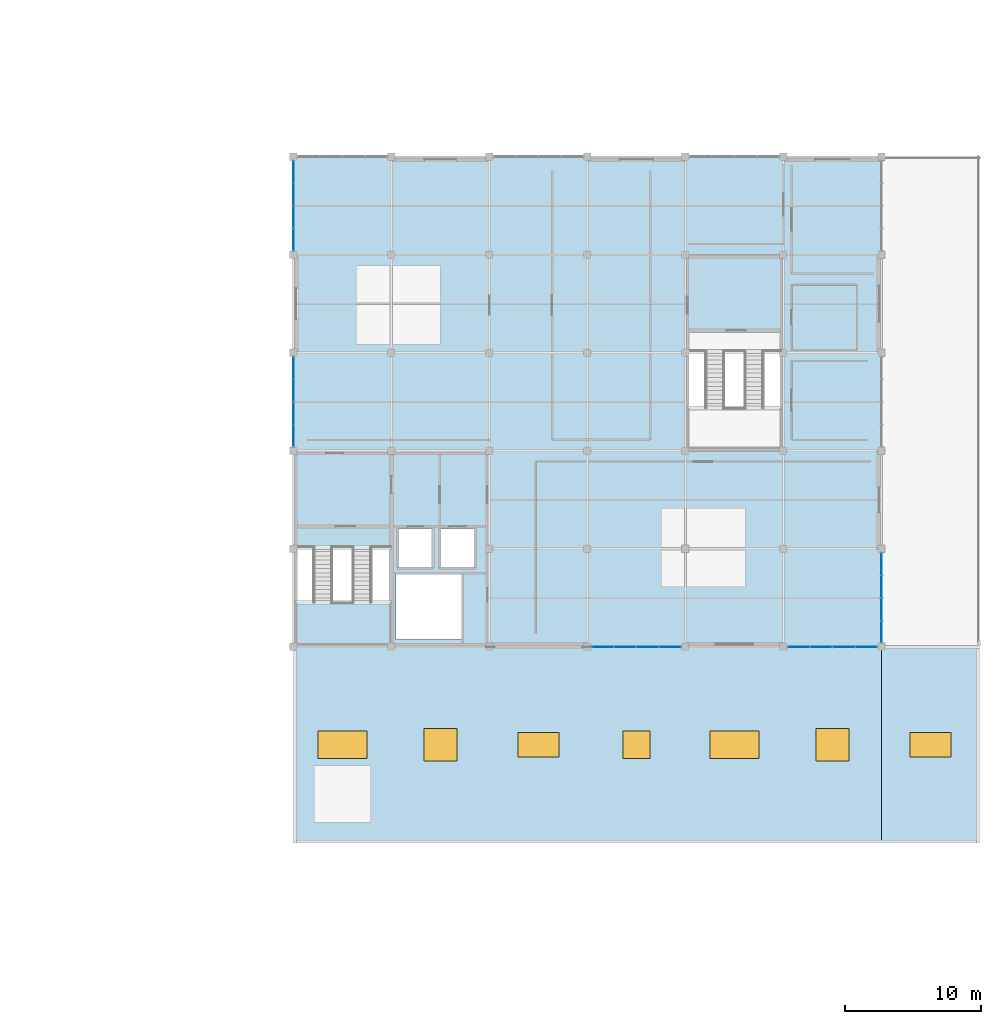
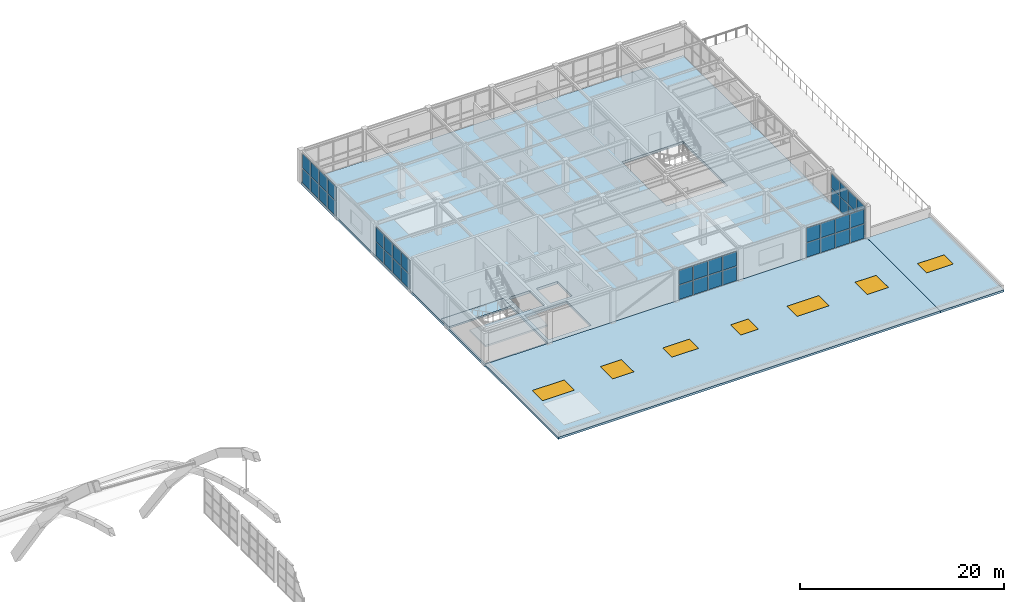
# One storey, part 44 of 64: 40 plates, 7 windows, 5 slabs, 7 openings, 6 elements without a shape of their own.
"""IFC4 building model written with IfcOpenShell, lengths in metres."""

from ifc_helpers import new_model, si_unit, direction, frame, origin, origin_2d, place, context, subcontext, project, spatial, polyline, rectangle, outline, extrude, material, layer, layer_set, type_object, element, fill, aggregate, save


model = new_model("IFC4")

# Units and contexts
model_context = context("Model", 3, precision=1e-05, world=origin(), true_north=direction((0.0, 1.0)))
body_context = subcontext(model_context, "Body", "Model", "MODEL_VIEW")
ifc_project = project(units=[si_unit("LENGTHUNIT", "METRE"), si_unit("AREAUNIT", "SQUARE_METRE"), si_unit("VOLUMEUNIT", "CUBIC_METRE"), si_unit("PLANEANGLEUNIT", "RADIAN"), si_unit("MASSUNIT", "GRAM", prefix="KILO")], contexts=[model_context])

# Site, building, storey
site_placement = place(None, origin())
site = spatial("IfcSite", under=ifc_project, at=site_placement, CompositionType="ELEMENT")
building_placement = place(site_placement, origin())
building = spatial("IfcBuilding", under=site, at=building_placement, Name="Leyfeld Transit Interchange", CompositionType="ELEMENT")
storey_placement = place(building_placement, frame((0.0, 0.0, 9.60009765625)))
storey = spatial("IfcBuildingStorey", under=building, at=storey_placement, Name="L02", CompositionType="ELEMENT", Elevation=9.60009765625)

# Curtain wall, plates
ifc_material_1 = material(Name="Anodised aluminium EN AW-6060 T66", Category="aluminium")
curtain_wall_type = type_object("IfcCurtainWallType", Name="CW-SYS-BUS-7200", PredefinedType="NOTDEFINED", material=ifc_material_1)
curtain_wall_1_placement = place(storey_placement, origin())
curtain_wall_1 = element("IfcCurtainWall", 1, at=curtain_wall_1_placement, inside=storey, type_object=curtain_wall_type, Name="Curtain Wall CW-L02-110", PredefinedType="NOTDEFINED")
ifc_material_2 = material(Name="Laminated safety acoustic glazing", Category="glass")
ifc_layer_1 = layer(ifc_material_2, 0.048095703125, Name="Laminated safety acoustic glazing")
ifc_layer_set_1 = layer_set([ifc_layer_1], Name="Laminated safety acoustic glazing")
plate_type = type_object("IfcPlateType", Name="CW-PNL-ACU-48", PredefinedType="CURTAIN_PANEL", material=ifc_layer_set_1)
plate_1_placement = place(storey_placement, frame((136.800048828125, 73.117431640625, 0.0732421875), z_axis=(0.0, 0.0, 1.0), x_axis=(0.0, 1.0, 0.0)))
plate_1 = element("IfcPlate", 2, at=plate_1_placement, type_object=plate_type, Name="Glazed Curtain Panel CW-L02-110-P01_1", PredefinedType="CURTAIN_PANEL", context=body_context, shape_type="SweptSolid", body=[
    extrude(rectangle(XDim=1.55810546875, YDim=0.048095703125, at=origin_2d()), origin(), (0.0, 0.0, 1.0), 1.700439453125),
])
plate_2_placement = place(storey_placement, frame((136.800048828125, 73.117431640625, 1.84619140625), z_axis=(0.0, 0.0, 1.0), x_axis=(0.0, 1.0, 0.0)))
plate_2 = element("IfcPlate", 3, at=plate_2_placement, type_object=plate_type, Name="Glazed Curtain Panel CW-L02-110-P01_2", PredefinedType="CURTAIN_PANEL", context=body_context, shape_type="SweptSolid", body=[
    extrude(rectangle(XDim=1.55810546875, YDim=0.048095703125, at=origin_2d()), origin(), (0.0, 0.0, 1.0), 1.700439453125),
])
plate_3_placement = place(storey_placement, frame((136.800048828125, 74.76611328125, 0.0732421875), z_axis=(0.0, 0.0, 1.0), x_axis=(0.0, 1.0, 0.0)))
plate_3 = element("IfcPlate", 4, at=plate_3_placement, type_object=plate_type, Name="Glazed Curtain Panel CW-L02-110-P02_1", PredefinedType="CURTAIN_PANEL", context=body_context, shape_type="SweptSolid", body=[
    extrude(rectangle(XDim=1.595458984375, YDim=0.048095703125, at=origin_2d()), origin(), (0.0, 0.0, 1.0), 1.700439453125),
])
plate_4_placement = place(storey_placement, frame((136.800048828125, 74.76611328125, 1.84619140625), z_axis=(0.0, 0.0, 1.0), x_axis=(0.0, 1.0, 0.0)))
plate_4 = element("IfcPlate", 5, at=plate_4_placement, type_object=plate_type, Name="Glazed Curtain Panel CW-L02-110-P02_2", PredefinedType="CURTAIN_PANEL", context=body_context, shape_type="SweptSolid", body=[
    extrude(rectangle(XDim=1.595458984375, YDim=0.048095703125, at=origin_2d()), origin(), (0.0, 0.0, 1.0), 1.700439453125),
])
plate_5_placement = place(storey_placement, frame((136.800048828125, 76.433837890625, 0.0732421875), z_axis=(0.0, 0.0, 1.0), x_axis=(0.0, 1.0, 0.0)))
plate_5 = element("IfcPlate", 6, at=plate_5_placement, type_object=plate_type, Name="Glazed Curtain Panel CW-L02-110-P03_1", PredefinedType="CURTAIN_PANEL", context=body_context, shape_type="SweptSolid", body=[
    extrude(rectangle(XDim=1.595458984375, YDim=0.048095703125, at=origin_2d()), origin(), (0.0, 0.0, 1.0), 1.700439453125),
])
plate_6_placement = place(storey_placement, frame((136.800048828125, 76.433837890625, 1.84619140625), z_axis=(0.0, 0.0, 1.0), x_axis=(0.0, 1.0, 0.0)))
plate_6 = element("IfcPlate", 7, at=plate_6_placement, type_object=plate_type, Name="Glazed Curtain Panel CW-L02-110-P03_2", PredefinedType="CURTAIN_PANEL", context=body_context, shape_type="SweptSolid", body=[
    extrude(rectangle(XDim=1.595458984375, YDim=0.048095703125, at=origin_2d()), origin(), (0.0, 0.0, 1.0), 1.700439453125),
])
plate_7_placement = place(storey_placement, frame((136.800048828125, 78.08251953125, 0.0732421875), z_axis=(0.0, 0.0, 1.0), x_axis=(0.0, 1.0, 0.0)))
plate_7 = element("IfcPlate", 8, at=plate_7_placement, type_object=plate_type, Name="Glazed Curtain Panel CW-L02-110-P04_1", PredefinedType="CURTAIN_PANEL", context=body_context, shape_type="SweptSolid", body=[
    extrude(rectangle(XDim=1.55810546875, YDim=0.048095703125, at=origin_2d()), origin(), (0.0, 0.0, 1.0), 1.700439453125),
])
plate_8_placement = place(storey_placement, frame((136.800048828125, 78.08251953125, 1.84619140625), z_axis=(0.0, 0.0, 1.0), x_axis=(0.0, 1.0, 0.0)))
plate_8 = element("IfcPlate", 9, at=plate_8_placement, type_object=plate_type, Name="Glazed Curtain Panel CW-L02-110-P04_2", PredefinedType="CURTAIN_PANEL", context=body_context, shape_type="SweptSolid", body=[
    extrude(rectangle(XDim=1.55810546875, YDim=0.048095703125, at=origin_2d()), origin(), (0.0, 0.0, 1.0), 1.700439453125),
])
aggregate(curtain_wall_1, [plate_1, plate_2, plate_3, plate_4, plate_5, plate_6, plate_7, plate_8])

curtain_wall_2_placement = place(storey_placement, origin())
curtain_wall_2 = element("IfcCurtainWall", 10, at=curtain_wall_2_placement, inside=storey, type_object=curtain_wall_type, Name="Curtain Wall CW-L02-111", PredefinedType="NOTDEFINED")
plate_9_placement = place(storey_placement, frame((136.800048828125, 87.517578125, 0.0732421875), z_axis=(0.0, 0.0, 1.0), x_axis=(0.0, 1.0, 0.0)))
plate_9 = element("IfcPlate", 11, at=plate_9_placement, type_object=plate_type, Name="Glazed Curtain Panel CW-L02-111-P01_1", PredefinedType="CURTAIN_PANEL", context=body_context, shape_type="SweptSolid", body=[
    extrude(rectangle(XDim=1.55810546875, YDim=0.048095703125, at=origin_2d()), origin(), (0.0, 0.0, 1.0), 1.715576171875),
])
plate_10_placement = place(storey_placement, frame((136.800048828125, 87.517578125, 1.86083984375), z_axis=(0.0, 0.0, 1.0), x_axis=(0.0, 1.0, 0.0)))
plate_10 = element("IfcPlate", 12, at=plate_10_placement, type_object=plate_type, Name="Glazed Curtain Panel CW-L02-111-P01_2", PredefinedType="CURTAIN_PANEL", context=body_context, shape_type="SweptSolid", body=[
    extrude(rectangle(XDim=1.55810546875, YDim=0.048095703125, at=origin_2d()), origin(), (0.0, 0.0, 1.0), 1.715576171875),
])
plate_11_placement = place(storey_placement, frame((136.800048828125, 89.166259765625, 0.0732421875), z_axis=(0.0, 0.0, 1.0), x_axis=(0.0, 1.0, 0.0)))
plate_11 = element("IfcPlate", 13, at=plate_11_placement, type_object=plate_type, Name="Glazed Curtain Panel CW-L02-111-P02_1", PredefinedType="CURTAIN_PANEL", context=body_context, shape_type="SweptSolid", body=[
    extrude(rectangle(XDim=1.595458984375, YDim=0.048095703125, at=origin_2d()), origin(), (0.0, 0.0, 1.0), 1.715576171875),
])
plate_12_placement = place(storey_placement, frame((136.800048828125, 89.166259765625, 1.86083984375), z_axis=(0.0, 0.0, 1.0), x_axis=(0.0, 1.0, 0.0)))
plate_12 = element("IfcPlate", 14, at=plate_12_placement, type_object=plate_type, Name="Glazed Curtain Panel CW-L02-111-P02_2", PredefinedType="CURTAIN_PANEL", context=body_context, shape_type="SweptSolid", body=[
    extrude(rectangle(XDim=1.595458984375, YDim=0.048095703125, at=origin_2d()), origin(), (0.0, 0.0, 1.0), 1.715576171875),
])
plate_13_placement = place(storey_placement, frame((136.800048828125, 90.833740234375, 0.0732421875), z_axis=(0.0, 0.0, 1.0), x_axis=(0.0, 1.0, 0.0)))
plate_13 = element("IfcPlate", 15, at=plate_13_placement, type_object=plate_type, Name="Glazed Curtain Panel CW-L02-111-P03_1", PredefinedType="CURTAIN_PANEL", context=body_context, shape_type="SweptSolid", body=[
    extrude(rectangle(XDim=1.595458984375, YDim=0.048095703125, at=origin_2d()), origin(), (0.0, 0.0, 1.0), 1.715576171875),
])
plate_14_placement = place(storey_placement, frame((136.800048828125, 90.833740234375, 1.86083984375), z_axis=(0.0, 0.0, 1.0), x_axis=(0.0, 1.0, 0.0)))
plate_14 = element("IfcPlate", 16, at=plate_14_placement, type_object=plate_type, Name="Glazed Curtain Panel CW-L02-111-P03_2", PredefinedType="CURTAIN_PANEL", context=body_context, shape_type="SweptSolid", body=[
    extrude(rectangle(XDim=1.595458984375, YDim=0.048095703125, at=origin_2d()), origin(), (0.0, 0.0, 1.0), 1.715576171875),
])
plate_15_placement = place(storey_placement, frame((136.800048828125, 92.482421875, 0.0732421875), z_axis=(0.0, 0.0, 1.0), x_axis=(0.0, 1.0, 0.0)))
plate_15 = element("IfcPlate", 17, at=plate_15_placement, type_object=plate_type, Name="Glazed Curtain Panel CW-L02-111-P04_1", PredefinedType="CURTAIN_PANEL", context=body_context, shape_type="SweptSolid", body=[
    extrude(rectangle(XDim=1.55810546875, YDim=0.048095703125, at=origin_2d()), origin(), (0.0, 0.0, 1.0), 1.715576171875),
])
plate_16_placement = place(storey_placement, frame((136.800048828125, 92.482421875, 1.86083984375), z_axis=(0.0, 0.0, 1.0), x_axis=(0.0, 1.0, 0.0)))
plate_16 = element("IfcPlate", 18, at=plate_16_placement, type_object=plate_type, Name="Glazed Curtain Panel CW-L02-111-P04_2", PredefinedType="CURTAIN_PANEL", context=body_context, shape_type="SweptSolid", body=[
    extrude(rectangle(XDim=1.55810546875, YDim=0.048095703125, at=origin_2d()), origin(), (0.0, 0.0, 1.0), 1.715576171875),
])
aggregate(curtain_wall_2, [plate_9, plate_10, plate_11, plate_12, plate_13, plate_14, plate_15, plate_16])

curtain_wall_3_placement = place(storey_placement, origin())
curtain_wall_3 = element("IfcCurtainWall", 19, at=curtain_wall_3_placement, inside=storey, type_object=curtain_wall_type, Name="Curtain Wall CW-L02-117", PredefinedType="NOTDEFINED")
plate_17_placement = place(storey_placement, frame((180.0, 63.6826171875, 0.0732421875), z_axis=(0.0, 0.0, 1.0), x_axis=(0.0, -1.0, 0.0)))
plate_17 = element("IfcPlate", 20, at=plate_17_placement, type_object=plate_type, Name="Glazed Curtain Panel CW-L02-117-P01_1", PredefinedType="CURTAIN_PANEL", context=body_context, shape_type="SweptSolid", body=[
    extrude(rectangle(XDim=1.55810546875, YDim=0.048095703125, at=origin_2d()), origin(), (0.0, 0.0, 1.0), 1.700439453125),
])
plate_18_placement = place(storey_placement, frame((180.0, 63.6826171875, 1.84619140625), z_axis=(0.0, 0.0, 1.0), x_axis=(0.0, -1.0, 0.0)))
plate_18 = element("IfcPlate", 21, at=plate_18_placement, type_object=plate_type, Name="Glazed Curtain Panel CW-L02-117-P01_2", PredefinedType="CURTAIN_PANEL", context=body_context, shape_type="SweptSolid", body=[
    extrude(rectangle(XDim=1.55810546875, YDim=0.048095703125, at=origin_2d()), origin(), (0.0, 0.0, 1.0), 1.700439453125),
])
plate_19_placement = place(storey_placement, frame((180.0, 62.03369140625, 0.0732421875), z_axis=(0.0, 0.0, 1.0), x_axis=(0.0, -1.0, 0.0)))
plate_19 = element("IfcPlate", 22, at=plate_19_placement, type_object=plate_type, Name="Glazed Curtain Panel CW-L02-117-P02_1", PredefinedType="CURTAIN_PANEL", context=body_context, shape_type="SweptSolid", body=[
    extrude(rectangle(XDim=1.595458984375, YDim=0.048095703125, at=origin_2d()), origin(), (0.0, 0.0, 1.0), 1.700439453125),
])
plate_20_placement = place(storey_placement, frame((180.0, 62.03369140625, 1.84619140625), z_axis=(0.0, 0.0, 1.0), x_axis=(0.0, -1.0, 0.0)))
plate_20 = element("IfcPlate", 23, at=plate_20_placement, type_object=plate_type, Name="Glazed Curtain Panel CW-L02-117-P02_2", PredefinedType="CURTAIN_PANEL", context=body_context, shape_type="SweptSolid", body=[
    extrude(rectangle(XDim=1.595458984375, YDim=0.048095703125, at=origin_2d()), origin(), (0.0, 0.0, 1.0), 1.700439453125),
])
plate_21_placement = place(storey_placement, frame((180.0, 60.3662109375, 0.0732421875), z_axis=(0.0, 0.0, 1.0), x_axis=(0.0, -1.0, 0.0)))
plate_21 = element("IfcPlate", 24, at=plate_21_placement, type_object=plate_type, Name="Glazed Curtain Panel CW-L02-117-P03_1", PredefinedType="CURTAIN_PANEL", context=body_context, shape_type="SweptSolid", body=[
    extrude(rectangle(XDim=1.595458984375, YDim=0.048095703125, at=origin_2d()), origin(), (0.0, 0.0, 1.0), 1.700439453125),
])
plate_22_placement = place(storey_placement, frame((180.0, 60.3662109375, 1.84619140625), z_axis=(0.0, 0.0, 1.0), x_axis=(0.0, -1.0, 0.0)))
plate_22 = element("IfcPlate", 25, at=plate_22_placement, type_object=plate_type, Name="Glazed Curtain Panel CW-L02-117-P03_2", PredefinedType="CURTAIN_PANEL", context=body_context, shape_type="SweptSolid", body=[
    extrude(rectangle(XDim=1.595458984375, YDim=0.048095703125, at=origin_2d()), origin(), (0.0, 0.0, 1.0), 1.700439453125),
])
plate_23_placement = place(storey_placement, frame((180.0, 58.717529296875, 0.0732421875), z_axis=(0.0, 0.0, 1.0), x_axis=(0.0, -1.0, 0.0)))
plate_23 = element("IfcPlate", 26, at=plate_23_placement, type_object=plate_type, Name="Glazed Curtain Panel CW-L02-117-P04_1", PredefinedType="CURTAIN_PANEL", context=body_context, shape_type="SweptSolid", body=[
    extrude(rectangle(XDim=1.55810546875, YDim=0.048095703125, at=origin_2d()), origin(), (0.0, 0.0, 1.0), 1.700439453125),
])
plate_24_placement = place(storey_placement, frame((180.0, 58.717529296875, 1.84619140625), z_axis=(0.0, 0.0, 1.0), x_axis=(0.0, -1.0, 0.0)))
plate_24 = element("IfcPlate", 27, at=plate_24_placement, type_object=plate_type, Name="Glazed Curtain Panel CW-L02-117-P04_2", PredefinedType="CURTAIN_PANEL", context=body_context, shape_type="SweptSolid", body=[
    extrude(rectangle(XDim=1.55810546875, YDim=0.048095703125, at=origin_2d()), origin(), (0.0, 0.0, 1.0), 1.700439453125),
])
aggregate(curtain_wall_3, [plate_17, plate_18, plate_19, plate_20, plate_21, plate_22, plate_23, plate_24])

curtain_wall_4_placement = place(storey_placement, origin())
curtain_wall_4 = element("IfcCurtainWall", 28, at=curtain_wall_4_placement, inside=storey, type_object=curtain_wall_type, Name="Curtain Wall CW-L02-118", PredefinedType="NOTDEFINED")
plate_25_placement = place(storey_placement, frame((178.882568359375, 57.60009765625, 0.0732421875), z_axis=(0.0, 0.0, 1.0), x_axis=(-1.0, 0.0, 0.0)))
plate_25 = element("IfcPlate", 29, at=plate_25_placement, type_object=plate_type, Name="Glazed Curtain Panel CW-L02-118-P01_1", PredefinedType="CURTAIN_PANEL", context=body_context, shape_type="SweptSolid", body=[
    extrude(rectangle(XDim=1.55810546875, YDim=0.048095703125, at=origin_2d()), origin(), (0.0, 0.0, 1.0), 1.700439453125),
])
plate_26_placement = place(storey_placement, frame((178.882568359375, 57.60009765625, 1.84619140625), z_axis=(0.0, 0.0, 1.0), x_axis=(-1.0, 0.0, 0.0)))
plate_26 = element("IfcPlate", 30, at=plate_26_placement, type_object=plate_type, Name="Glazed Curtain Panel CW-L02-118-P01_2", PredefinedType="CURTAIN_PANEL", context=body_context, shape_type="SweptSolid", body=[
    extrude(rectangle(XDim=1.55810546875, YDim=0.048095703125, at=origin_2d()), origin(), (0.0, 0.0, 1.0), 1.700439453125),
])
plate_27_placement = place(storey_placement, frame((177.23388671875, 57.60009765625, 0.0732421875), z_axis=(0.0, 0.0, 1.0), x_axis=(-1.0, 0.0, 0.0)))
plate_27 = element("IfcPlate", 31, at=plate_27_placement, type_object=plate_type, Name="Glazed Curtain Panel CW-L02-118-P02_1", PredefinedType="CURTAIN_PANEL", context=body_context, shape_type="SweptSolid", body=[
    extrude(rectangle(XDim=1.595458984375, YDim=0.048095703125, at=origin_2d()), origin(), (0.0, 0.0, 1.0), 1.700439453125),
])
plate_28_placement = place(storey_placement, frame((177.23388671875, 57.60009765625, 1.84619140625), z_axis=(0.0, 0.0, 1.0), x_axis=(-1.0, 0.0, 0.0)))
plate_28 = element("IfcPlate", 32, at=plate_28_placement, type_object=plate_type, Name="Glazed Curtain Panel CW-L02-118-P02_2", PredefinedType="CURTAIN_PANEL", context=body_context, shape_type="SweptSolid", body=[
    extrude(rectangle(XDim=1.595458984375, YDim=0.048095703125, at=origin_2d()), origin(), (0.0, 0.0, 1.0), 1.700439453125),
])
plate_29_placement = place(storey_placement, frame((175.56640625, 57.60009765625, 0.0732421875), z_axis=(0.0, 0.0, 1.0), x_axis=(-1.0, 0.0, 0.0)))
plate_29 = element("IfcPlate", 33, at=plate_29_placement, type_object=plate_type, Name="Glazed Curtain Panel CW-L02-118-P03_1", PredefinedType="CURTAIN_PANEL", context=body_context, shape_type="SweptSolid", body=[
    extrude(rectangle(XDim=1.595458984375, YDim=0.048095703125, at=origin_2d()), origin(), (0.0, 0.0, 1.0), 1.700439453125),
])
plate_30_placement = place(storey_placement, frame((175.56640625, 57.60009765625, 1.84619140625), z_axis=(0.0, 0.0, 1.0), x_axis=(-1.0, 0.0, 0.0)))
plate_30 = element("IfcPlate", 34, at=plate_30_placement, type_object=plate_type, Name="Glazed Curtain Panel CW-L02-118-P03_2", PredefinedType="CURTAIN_PANEL", context=body_context, shape_type="SweptSolid", body=[
    extrude(rectangle(XDim=1.595458984375, YDim=0.048095703125, at=origin_2d()), origin(), (0.0, 0.0, 1.0), 1.700439453125),
])
plate_31_placement = place(storey_placement, frame((173.91748046875, 57.60009765625, 0.0732421875), z_axis=(0.0, 0.0, 1.0), x_axis=(-1.0, 0.0, 0.0)))
plate_31 = element("IfcPlate", 35, at=plate_31_placement, type_object=plate_type, Name="Glazed Curtain Panel CW-L02-118-P04_1", PredefinedType="CURTAIN_PANEL", context=body_context, shape_type="SweptSolid", body=[
    extrude(rectangle(XDim=1.55810546875, YDim=0.048095703125, at=origin_2d()), origin(), (0.0, 0.0, 1.0), 1.700439453125),
])
plate_32_placement = place(storey_placement, frame((173.91748046875, 57.60009765625, 1.84619140625), z_axis=(0.0, 0.0, 1.0), x_axis=(-1.0, 0.0, 0.0)))
plate_32 = element("IfcPlate", 36, at=plate_32_placement, type_object=plate_type, Name="Glazed Curtain Panel CW-L02-118-P04_2", PredefinedType="CURTAIN_PANEL", context=body_context, shape_type="SweptSolid", body=[
    extrude(rectangle(XDim=1.55810546875, YDim=0.048095703125, at=origin_2d()), origin(), (0.0, 0.0, 1.0), 1.700439453125),
])
aggregate(curtain_wall_4, [plate_25, plate_26, plate_27, plate_28, plate_29, plate_30, plate_31, plate_32])

curtain_wall_5_placement = place(storey_placement, origin())
curtain_wall_5 = element("IfcCurtainWall", 37, at=curtain_wall_5_placement, inside=storey, type_object=curtain_wall_type, Name="Curtain Wall CW-L02-119", PredefinedType="NOTDEFINED")
plate_33_placement = place(storey_placement, frame((164.482421875, 57.60009765625, 0.0732421875), z_axis=(0.0, 0.0, 1.0), x_axis=(-1.0, 0.0, 0.0)))
plate_33 = element("IfcPlate", 38, at=plate_33_placement, type_object=plate_type, Name="Glazed Curtain Panel CW-L02-119-P01_1", PredefinedType="CURTAIN_PANEL", context=body_context, shape_type="SweptSolid", body=[
    extrude(rectangle(XDim=1.55810546875, YDim=0.048095703125, at=origin_2d()), origin(), (0.0, 0.0, 1.0), 1.700439453125),
])
plate_34_placement = place(storey_placement, frame((164.482421875, 57.60009765625, 1.84619140625), z_axis=(0.0, 0.0, 1.0), x_axis=(-1.0, 0.0, 0.0)))
plate_34 = element("IfcPlate", 39, at=plate_34_placement, type_object=plate_type, Name="Glazed Curtain Panel CW-L02-119-P01_2", PredefinedType="CURTAIN_PANEL", context=body_context, shape_type="SweptSolid", body=[
    extrude(rectangle(XDim=1.55810546875, YDim=0.048095703125, at=origin_2d()), origin(), (0.0, 0.0, 1.0), 1.700439453125),
])
plate_35_placement = place(storey_placement, frame((162.833740234375, 57.60009765625, 0.0732421875), z_axis=(0.0, 0.0, 1.0), x_axis=(-1.0, 0.0, 0.0)))
plate_35 = element("IfcPlate", 40, at=plate_35_placement, type_object=plate_type, Name="Glazed Curtain Panel CW-L02-119-P02_1", PredefinedType="CURTAIN_PANEL", context=body_context, shape_type="SweptSolid", body=[
    extrude(rectangle(XDim=1.595458984375, YDim=0.048095703125, at=origin_2d()), origin(), (0.0, 0.0, 1.0), 1.700439453125),
])
plate_36_placement = place(storey_placement, frame((162.833740234375, 57.60009765625, 1.84619140625), z_axis=(0.0, 0.0, 1.0), x_axis=(-1.0, 0.0, 0.0)))
plate_36 = element("IfcPlate", 41, at=plate_36_placement, type_object=plate_type, Name="Glazed Curtain Panel CW-L02-119-P02_2", PredefinedType="CURTAIN_PANEL", context=body_context, shape_type="SweptSolid", body=[
    extrude(rectangle(XDim=1.595458984375, YDim=0.048095703125, at=origin_2d()), origin(), (0.0, 0.0, 1.0), 1.700439453125),
])
plate_37_placement = place(storey_placement, frame((161.166259765625, 57.60009765625, 0.0732421875), z_axis=(0.0, 0.0, 1.0), x_axis=(-1.0, 0.0, 0.0)))
plate_37 = element("IfcPlate", 42, at=plate_37_placement, type_object=plate_type, Name="Glazed Curtain Panel CW-L02-119-P03_1", PredefinedType="CURTAIN_PANEL", context=body_context, shape_type="SweptSolid", body=[
    extrude(rectangle(XDim=1.595458984375, YDim=0.048095703125, at=origin_2d()), origin(), (0.0, 0.0, 1.0), 1.700439453125),
])
plate_38_placement = place(storey_placement, frame((161.166259765625, 57.60009765625, 1.84619140625), z_axis=(0.0, 0.0, 1.0), x_axis=(-1.0, 0.0, 0.0)))
plate_38 = element("IfcPlate", 43, at=plate_38_placement, type_object=plate_type, Name="Glazed Curtain Panel CW-L02-119-P03_2", PredefinedType="CURTAIN_PANEL", context=body_context, shape_type="SweptSolid", body=[
    extrude(rectangle(XDim=1.595458984375, YDim=0.048095703125, at=origin_2d()), origin(), (0.0, 0.0, 1.0), 1.700439453125),
])
plate_39_placement = place(storey_placement, frame((159.517578125, 57.60009765625, 0.0732421875), z_axis=(0.0, 0.0, 1.0), x_axis=(-1.0, 0.0, 0.0)))
plate_39 = element("IfcPlate", 44, at=plate_39_placement, type_object=plate_type, Name="Glazed Curtain Panel CW-L02-119-P04_1", PredefinedType="CURTAIN_PANEL", context=body_context, shape_type="SweptSolid", body=[
    extrude(rectangle(XDim=1.55810546875, YDim=0.048095703125, at=origin_2d()), origin(), (0.0, 0.0, 1.0), 1.700439453125),
])
plate_40_placement = place(storey_placement, frame((159.517578125, 57.60009765625, 1.84619140625), z_axis=(0.0, 0.0, 1.0), x_axis=(-1.0, 0.0, 0.0)))
plate_40 = element("IfcPlate", 45, at=plate_40_placement, type_object=plate_type, Name="Glazed Curtain Panel CW-L02-119-P04_2", PredefinedType="CURTAIN_PANEL", context=body_context, shape_type="SweptSolid", body=[
    extrude(rectangle(XDim=1.55810546875, YDim=0.048095703125, at=origin_2d()), origin(), (0.0, 0.0, 1.0), 1.700439453125),
])
aggregate(curtain_wall_5, [plate_33, plate_34, plate_35, plate_36, plate_37, plate_38, plate_39, plate_40])

# Slabs
ifc_material_3 = material(Name="Concrete C35/45", Category="concrete")
ifc_layer_2 = layer(ifc_material_3, 0.300048828125, Name="Concrete C35/45")
ifc_layer_set_2 = layer_set([ifc_layer_2], Name="Concrete C35/45")
slab_type_1 = type_object("IfcSlabType", Name="SLB-FLR-300", PredefinedType="FLOOR", material=ifc_layer_set_2)
slab_1_placement = place(storey_placement, frame((0.0, 0.0, -0.300048828125)))
element("IfcSlab", 46, at=slab_1_placement, inside=storey, type_object=slab_type_1, Name="Slab V4 L02 B1", PredefinedType="FLOOR", context=body_context, shape_type="SweptSolid", body=[
    extrude(outline(polyline([(180.0, 57.60009765625), (180.0, 93.574951171875), (136.800048828125, 93.574951171875), (136.800048828125, 57.60009765625), (180.0, 57.60009765625)]), holes=[polyline([(144.0, 57.75), (136.949951171875, 57.75), (136.949951171875, 66.449951171875), (144.0, 66.449951171875), (144.0, 57.75)]), polyline([(144.35009765625, 58.14990234375), (144.35009765625, 62.919921875), (149.14990234375, 62.919921875), (149.14990234375, 58.14990234375), (144.35009765625, 58.14990234375)]), polyline([(144.550048828125, 66.300048828125), (146.949951171875, 66.300048828125), (146.949951171875, 63.449951171875), (144.550048828125, 63.449951171875), (144.550048828125, 66.300048828125)]), polyline([(150.050048828125, 66.300048828125), (150.050048828125, 63.449951171875), (147.64990234375, 63.449951171875), (147.64990234375, 66.300048828125), (150.050048828125, 66.300048828125)]), polyline([(172.6650390625, 72.135009765625), (165.735107421875, 72.135009765625), (165.735107421875, 80.85009765625), (172.6650390625, 80.85009765625), (172.6650390625, 72.135009765625)])]), origin(), (0.0, 0.0, 1.0), 0.300048828125),
])
ifc_material_4 = material(Name="Precast concrete C40/50", Category="concrete")
ifc_layer_3 = layer(ifc_material_4, 0.199951171875, Name="Precast concrete C40/50")
ifc_layer_set_3 = layer_set([ifc_layer_3], Name="Precast concrete C40/50")
slab_type_2 = type_object("IfcSlabType", Name="SLB-LND-200", PredefinedType="LANDING", material=ifc_layer_set_3)
slab_2_placement = place(storey_placement, frame((0.0, 0.0, -0.2001953125)))
element("IfcSlab", 47, at=slab_2_placement, inside=storey, type_object=slab_type_2, Name="Core K4 Stair Floor Landing L02", PredefinedType="LANDING", context=body_context, shape_type="SweptSolid", body=[
    extrude(outline(polyline([(136.955078125, 64.89990234375), (143.9951171875, 64.89990234375), (143.9951171875, 66.445068359375), (136.955078125, 66.445068359375), (136.955078125, 64.89990234375)])), origin(), (0.0, 0.0, 1.0), 0.2001953125),
])

# Stair, slab
stair_type = type_object("IfcStairType", Name="STR-HT-150x310", PredefinedType="HALF_TURN_STAIR", material=ifc_material_4)
stair_placement = place(storey_placement, origin())
stair = element("IfcStair", 48, at=stair_placement, inside=storey, type_object=stair_type, Name="Exit Stair ST-04 (L02 to L03)", PredefinedType="HALF_TURN_STAIR")
slab_3_placement = place(storey_placement, frame((0.0, 0.0, 1.89990234375)))
slab_3 = element("IfcSlab", 49, at=slab_3_placement, type_object=slab_type_2, Name="Stair ST-04 L02 Half Landing", PredefinedType="LANDING", context=body_context, shape_type="SweptSolid", body=[
    extrude(outline(polyline([(136.955078125, 57.7548828125), (143.9951171875, 57.7548828125), (143.9951171875, 60.8701171875), (136.955078125, 60.8701171875), (136.955078125, 57.7548828125)])), origin(), (0.0, 0.0, 1.0), 0.199951171875),
])
aggregate(stair, [slab_3])

# Slab, openings, windows
ifc_layer_4 = layer(ifc_material_3, 0.25, Name="Concrete C35/45")
ifc_layer_set_4 = layer_set([ifc_layer_4], Name="Concrete C35/45")
slab_type_3 = type_object("IfcSlabType", Name="SLB-ROOF-250", PredefinedType="ROOF", material=ifc_layer_set_4)
slab_4_placement = place(storey_placement, frame((0.0, 0.0, -0.25)))
slab_4 = element("IfcSlab", 50, at=slab_4_placement, inside=storey, type_object=slab_type_3, Name="Slab V4_TERR_S L02 B1", PredefinedType="ROOF", context=body_context, shape_type="SweptSolid", body=[
    extrude(outline(polyline([(136.800048828125, 57.60009765625), (136.800048828125, 43.199951171875), (180.0, 43.199951171875), (180.0, 57.60009765625), (136.800048828125, 57.60009765625)]), holes=[polyline([(142.199951171875, 49.39990234375), (138.60009765625, 49.39990234375), (138.60009765625, 51.39990234375), (142.199951171875, 51.39990234375), (142.199951171875, 49.39990234375)]), polyline([(148.800048828125, 49.199951171875), (146.39990234375, 49.199951171875), (146.39990234375, 51.60009765625), (148.800048828125, 51.60009765625), (148.800048828125, 49.199951171875)]), polyline([(156.300048828125, 49.5), (153.300048828125, 49.5), (153.300048828125, 51.300048828125), (156.300048828125, 51.300048828125), (156.300048828125, 49.5)]), polyline([(163.0, 49.39990234375), (161.0, 49.39990234375), (161.0, 51.39990234375), (163.0, 51.39990234375), (163.0, 49.39990234375)]), polyline([(171.0, 49.39990234375), (167.39990234375, 49.39990234375), (167.39990234375, 51.39990234375), (171.0, 51.39990234375), (171.0, 49.39990234375)]), polyline([(177.60009765625, 49.199951171875), (175.199951171875, 49.199951171875), (175.199951171875, 51.60009765625), (177.60009765625, 51.60009765625), (177.60009765625, 49.199951171875)])]), origin(), (0.0, 0.0, 1.0), 0.25),
])
opening_1_placement = place(slab_4_placement, frame((140.39990234375, 50.39990234375, 0.0)))
opening_1 = element("IfcOpeningElement", 51, at=opening_1_placement, cuts=slab_4, Name="Opening SK-04", PredefinedType="OPENING", context=body_context, shape_type="SweptSolid", body=[
    extrude(rectangle(XDim=3.60009765625, YDim=2.0, at=origin_2d()), frame((0.0, 0.0, -0.010009765625)), (0.0, 0.0, 1.0), 0.27001953125),
])
opening_2_placement = place(slab_4_placement, frame((147.60009765625, 50.39990234375, 0.0)))
opening_2 = element("IfcOpeningElement", 52, at=opening_2_placement, cuts=slab_4, Name="Opening SK-01", PredefinedType="OPENING", context=body_context, shape_type="SweptSolid", body=[
    extrude(rectangle(XDim=2.39990234375, YDim=2.39990234375, at=origin_2d()), frame((0.0, 0.0, -0.010009765625)), (0.0, 0.0, 1.0), 0.27001953125),
])
opening_3_placement = place(slab_4_placement, frame((154.800048828125, 50.39990234375, 0.0)))
opening_3 = element("IfcOpeningElement", 53, at=opening_3_placement, cuts=slab_4, Name="Opening SK-02", PredefinedType="OPENING", context=body_context, shape_type="SweptSolid", body=[
    extrude(rectangle(XDim=3.0, YDim=1.800048828125, at=origin_2d()), frame((0.0, 0.0, -0.010009765625)), (0.0, 0.0, 1.0), 0.27001953125),
])
opening_4_placement = place(slab_4_placement, frame((162.0, 50.39990234375, 0.0)))
opening_4 = element("IfcOpeningElement", 54, at=opening_4_placement, cuts=slab_4, Name="Opening SK-03", PredefinedType="OPENING", context=body_context, shape_type="SweptSolid", body=[
    extrude(rectangle(XDim=2.0, YDim=2.0, at=origin_2d()), frame((0.0, 0.0, -0.010009765625)), (0.0, 0.0, 1.0), 0.27001953125),
])
opening_5_placement = place(slab_4_placement, frame((169.199951171875, 50.39990234375, 0.0)))
opening_5 = element("IfcOpeningElement", 55, at=opening_5_placement, cuts=slab_4, Name="Opening SK-04", PredefinedType="OPENING", context=body_context, shape_type="SweptSolid", body=[
    extrude(rectangle(XDim=3.60009765625, YDim=2.0, at=origin_2d()), frame((0.0, 0.0, -0.010009765625)), (0.0, 0.0, 1.0), 0.27001953125),
])
opening_6_placement = place(slab_4_placement, frame((176.39990234375, 50.39990234375, 0.0)))
opening_6 = element("IfcOpeningElement", 56, at=opening_6_placement, cuts=slab_4, Name="Opening SK-01", PredefinedType="OPENING", context=body_context, shape_type="SweptSolid", body=[
    extrude(rectangle(XDim=2.39990234375, YDim=2.39990234375, at=origin_2d()), frame((0.0, 0.0, -0.010009765625)), (0.0, 0.0, 1.0), 0.27001953125),
])
window_type_1 = type_object("IfcWindowType", Name="SKY-2000x2000", PartitioningType="SINGLE_PANEL", PredefinedType="SKYLIGHT", material=ifc_material_2)
window_1_placement = place(opening_4_placement, frame((0.0, 0.0, 0.199951171875)))
window_1 = element("IfcWindow", 57, at=window_1_placement, inside=storey, type_object=window_type_1, Name="Roof Skylight L02 06", OverallHeight=2.0, OverallWidth=2.0, PartitioningType="SINGLE_PANEL", PredefinedType="SKYLIGHT", context=body_context, shape_type="SweptSolid", body=[
    extrude(rectangle(XDim=2.0, YDim=2.0, at=origin_2d()), origin(), (0.0, 0.0, 1.0), 0.050048828125),
])
fill(opening_4, window_1)
window_type_2 = type_object("IfcWindowType", Name="SKY-2400x2400", PartitioningType="SINGLE_PANEL", PredefinedType="SKYLIGHT", material=ifc_material_2)
window_2_placement = place(opening_2_placement, frame((0.0, 0.0, 0.199951171875)))
window_2 = element("IfcWindow", 58, at=window_2_placement, inside=storey, type_object=window_type_2, Name="Roof Skylight L02 04", OverallHeight=2.39990234375, OverallWidth=2.39990234375, PartitioningType="SINGLE_PANEL", PredefinedType="SKYLIGHT", context=body_context, shape_type="SweptSolid", body=[
    extrude(rectangle(XDim=2.39990234375, YDim=2.39990234375, at=origin_2d()), origin(), (0.0, 0.0, 1.0), 0.050048828125),
])
fill(opening_2, window_2)
window_3_placement = place(opening_6_placement, frame((0.0, 0.0, 0.199951171875)))
window_3 = element("IfcWindow", 59, at=window_3_placement, inside=storey, type_object=window_type_2, Name="Roof Skylight L02 08", OverallHeight=2.39990234375, OverallWidth=2.39990234375, PartitioningType="SINGLE_PANEL", PredefinedType="SKYLIGHT", context=body_context, shape_type="SweptSolid", body=[
    extrude(rectangle(XDim=2.39990234375, YDim=2.39990234375, at=origin_2d()), origin(), (0.0, 0.0, 1.0), 0.050048828125),
])
fill(opening_6, window_3)
window_type_3 = type_object("IfcWindowType", Name="SKY-3000x1800", PartitioningType="SINGLE_PANEL", PredefinedType="SKYLIGHT", material=ifc_material_2)
window_4_placement = place(opening_3_placement, frame((0.0, 0.0, 0.199951171875)))
window_4 = element("IfcWindow", 60, at=window_4_placement, inside=storey, type_object=window_type_3, Name="Roof Skylight L02 05", OverallHeight=1.800048828125, OverallWidth=3.0, PartitioningType="SINGLE_PANEL", PredefinedType="SKYLIGHT", context=body_context, shape_type="SweptSolid", body=[
    extrude(rectangle(XDim=3.0, YDim=1.800048828125, at=origin_2d()), origin(), (0.0, 0.0, 1.0), 0.050048828125),
])
fill(opening_3, window_4)
window_type_4 = type_object("IfcWindowType", Name="SKY-3600x2000", PartitioningType="SINGLE_PANEL", PredefinedType="SKYLIGHT", material=ifc_material_2)
window_5_placement = place(opening_1_placement, frame((0.0, 0.0, 0.199951171875)))
window_5 = element("IfcWindow", 61, at=window_5_placement, inside=storey, type_object=window_type_4, Name="Roof Skylight L02 03", OverallHeight=2.0, OverallWidth=3.60009765625, PartitioningType="SINGLE_PANEL", PredefinedType="SKYLIGHT", context=body_context, shape_type="SweptSolid", body=[
    extrude(rectangle(XDim=3.60009765625, YDim=2.0, at=origin_2d()), origin(), (0.0, 0.0, 1.0), 0.050048828125),
])
fill(opening_1, window_5)
window_6_placement = place(opening_5_placement, frame((0.0, 0.0, 0.199951171875)))
window_6 = element("IfcWindow", 62, at=window_6_placement, inside=storey, type_object=window_type_4, Name="Roof Skylight L02 07", OverallHeight=2.0, OverallWidth=3.60009765625, PartitioningType="SINGLE_PANEL", PredefinedType="SKYLIGHT", context=body_context, shape_type="SweptSolid", body=[
    extrude(rectangle(XDim=3.60009765625, YDim=2.0, at=origin_2d()), origin(), (0.0, 0.0, 1.0), 0.050048828125),
])
fill(opening_5, window_6)

# Slab, opening, window
slab_5_placement = place(storey_placement, frame((0.0, 0.0, -0.25)))
slab_5 = element("IfcSlab", 63, at=slab_5_placement, inside=storey, type_object=slab_type_3, Name="Slab V4_TERR_S L02 B2", PredefinedType="ROOF", context=body_context, shape_type="SweptSolid", body=[
    extrude(outline(polyline([(187.199951171875, 57.60009765625), (180.0, 57.60009765625), (180.0, 43.199951171875), (187.199951171875, 43.199951171875), (187.199951171875, 57.60009765625)]), holes=[polyline([(185.10009765625, 49.5), (182.10009765625, 49.5), (182.10009765625, 51.300048828125), (185.10009765625, 51.300048828125), (185.10009765625, 49.5)])]), origin(), (0.0, 0.0, 1.0), 0.25),
])
opening_7_placement = place(slab_5_placement, frame((183.60009765625, 50.39990234375, 0.0)))
opening_7 = element("IfcOpeningElement", 64, at=opening_7_placement, cuts=slab_5, Name="Opening SK-02", PredefinedType="OPENING", context=body_context, shape_type="SweptSolid", body=[
    extrude(rectangle(XDim=3.0, YDim=1.800048828125, at=origin_2d()), frame((0.0, 0.0, -0.010009765625)), (0.0, 0.0, 1.0), 0.27001953125),
])
window_7_placement = place(opening_7_placement, frame((0.0, 0.0, 0.199951171875)))
window_7 = element("IfcWindow", 65, at=window_7_placement, inside=storey, type_object=window_type_3, Name="Roof Skylight L02 09", OverallHeight=1.800048828125, OverallWidth=3.0, PartitioningType="SINGLE_PANEL", PredefinedType="SKYLIGHT", context=body_context, shape_type="SweptSolid", body=[
    extrude(rectangle(XDim=3.0, YDim=1.800048828125, at=origin_2d()), origin(), (0.0, 0.0, 1.0), 0.050048828125),
])
fill(opening_7, window_7)

save(model, "model.ifc")
